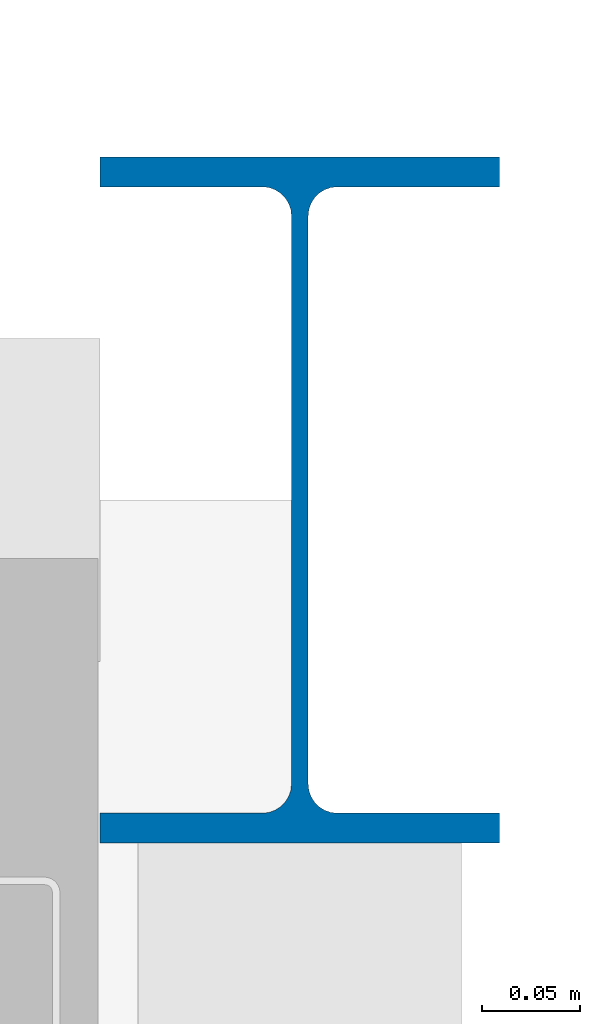
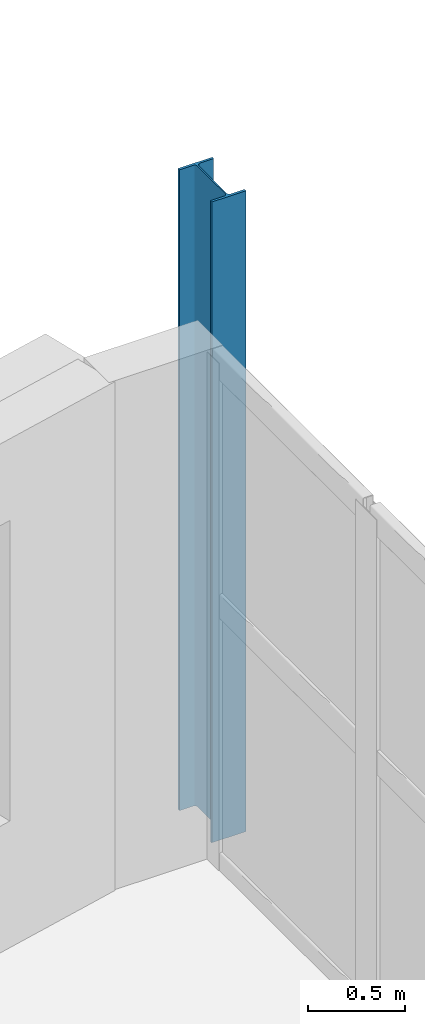
# One storey, part 5 of 33: 1 column.
"""IFC4 building model written with IfcOpenShell, lengths in metres."""

import ifcopenshell
import ifcopenshell.guid

model = None  # the IFC model being written
_history = None  # IfcOwnerHistory: only IFC2X3 demands one
_inside = {}  # id of a spatial element -> (the spatial element, [elements in it])
_under = {}  # id of a project, library or spatial element -> (it, [spatial elements below it])
_declared = {}  # id of a project -> (the project, [libraries it declares])
_typed = {}  # id of a type object -> (the type object, [elements of that type])
_made_of = {}  # id of a material, layer set ... -> (it, [elements and type objects made of it])


def new_model(schema):
    """Start an empty IFC model of exactly this schema.

    Asked for "IFC4X3", IfcOpenShell would pick the latest addendum, in which some entities
    have other attributes; the version numbers below select the first issue.
    IFC2X3 requires an IfcOwnerHistory on every rooted entity: one is made here for all.
    """
    global model, _history
    if schema == "IFC4X3":
        model = ifcopenshell.file(schema_version=(4, 3, 0, 0))
    else:
        model = ifcopenshell.file(schema=schema)
    _inside.clear()
    _under.clear()
    _declared.clear()
    _typed.clear()
    _made_of.clear()
    _history = None
    if model.schema == "IFC2X3":
        org = make("IfcOrganization", Name="unknown")
        user = make(
            "IfcPersonAndOrganization",
            ThePerson=make("IfcPerson", FamilyName="unknown"),
            TheOrganization=org,
        )
        app = make(
            "IfcApplication",
            ApplicationDeveloper=org,
            Version="unknown",
            ApplicationFullName="unknown",
            ApplicationIdentifier="unknown",
        )
        _history = make(
            "IfcOwnerHistory",
            OwningUser=user,
            OwningApplication=app,
            ChangeAction="ADDED",
            CreationDate=0,
        )
    return model


def make(cls, **values):
    """One entity of the class cls with the attributes given. An attribute that is None is left unset."""
    return model.create_entity(
        cls, **{name: value for name, value in values.items() if value is not None}
    )


def rooted(cls, **values):
    """An entity with a GlobalId (a new one), such as an element, a storey or a relation."""
    return make(cls, GlobalId=ifcopenshell.guid.new(), OwnerHistory=_history, **values)


def si_unit(unit_type, name, prefix=None):
    """IfcSIUnit, for example si_unit("LENGTHUNIT", "METRE", prefix="MILLI")."""
    return make("IfcSIUnit", UnitType=unit_type, Prefix=prefix, Name=name)


def assignment(units):
    """IfcUnitAssignment: the units of a project."""
    return None if units is None else make("IfcUnitAssignment", Units=units)


def point(xyz):
    """IfcCartesianPoint."""
    return None if xyz is None else make("IfcCartesianPoint", Coordinates=xyz)


def direction(xyz):
    """IfcDirection."""
    return None if xyz is None else make("IfcDirection", DirectionRatios=xyz)


def frame(location, z_axis=None, x_axis=None):
    """IfcAxis2Placement3D, a coordinate frame: its origin and axes. An axis left out is left unset."""
    return make(
        "IfcAxis2Placement3D",
        Location=point(location),
        Axis=direction(z_axis),
        RefDirection=direction(x_axis),
    )


def frame_2d(location, x_axis=None):
    """IfcAxis2Placement2D, a coordinate frame in the plane: its origin and x axis."""
    return make(
        "IfcAxis2Placement2D", Location=point(location), RefDirection=direction(x_axis)
    )


def origin():
    """The frame at (0, 0, 0) with its axes left unset."""
    return frame((0.0, 0.0, 0.0))


def origin_2d():
    """The frame at (0, 0) in the plane with its x axis left unset."""
    return frame_2d((0.0, 0.0))


def place(relative_to, where):
    """IfcLocalPlacement: puts the frame where relative to a parent placement (None: the world)."""
    return make(
        "IfcLocalPlacement", PlacementRelTo=relative_to, RelativePlacement=where
    )


def context(
    kind, dimensions, precision=None, world=None, true_north=None, identifier=None
):
    """IfcGeometricRepresentationContext, for example the 3D "Model" context."""
    return make(
        "IfcGeometricRepresentationContext",
        ContextIdentifier=identifier,
        ContextType=kind,
        CoordinateSpaceDimension=dimensions,
        Precision=precision,
        WorldCoordinateSystem=world,
        TrueNorth=true_north,
    )


def subcontext(parent, identifier, kind, view, scale=None):
    """IfcGeometricRepresentationSubContext, for example "Body" below "Model"."""
    return make(
        "IfcGeometricRepresentationSubContext",
        ContextIdentifier=identifier,
        ContextType=kind,
        ParentContext=parent,
        TargetScale=scale,
        TargetView=view,
    )


def project(units=None, contexts=None):
    """IfcProject with its units and contexts."""
    return rooted(
        "IfcProject",
        Name="project",
        RepresentationContexts=contexts,
        UnitsInContext=assignment(units),
    )


def spatial(cls, under=None, at=None, **own):
    """A site, building, storey or space (cls), placed at a placement, below another one or the project."""
    s = rooted(cls, ObjectPlacement=at, **own)
    if under is not None:
        _under.setdefault(under.id(), (under, []))[1].append(s)
    return s


def profile(cls, at=None, kind="AREA", **sizes):
    """A parametric profile (cls). Its sizes go by their IFC names, for example OverallWidth=200.0."""
    return make(cls, ProfileType=kind, Position=at, **sizes)


def i_section(**sizes):
    """IfcIShapeProfileDef."""
    return profile("IfcIShapeProfileDef", **sizes)


def extrude(swept, where, along, depth):
    """IfcExtrudedAreaSolid: the profile swept, set in the frame where, extruded along a direction by depth."""
    return make(
        "IfcExtrudedAreaSolid",
        SweptArea=swept,
        Position=where,
        ExtrudedDirection=direction(along),
        Depth=depth,
    )


def shape(context_of_items, identifier, shape_type, items):
    """IfcShapeRepresentation: the items that make up one representation, for example the "Body"."""
    return make(
        "IfcShapeRepresentation",
        ContextOfItems=context_of_items,
        RepresentationIdentifier=identifier,
        RepresentationType=shape_type,
        Items=items,
    )


def material(Name=None, Category=None):
    """IfcMaterial."""
    return make("IfcMaterial", Name=Name, Category=Category)


def material_profile(
    of_material, cross_section, Name=None, Category=None, Priority=None
):
    """IfcMaterialProfile: a cross section and its material."""
    return make(
        "IfcMaterialProfile",
        Name=Name,
        Material=of_material,
        Profile=cross_section,
        Priority=Priority,
        Category=Category,
    )


def profile_set(profiles, Name=None, composite=None):
    """IfcMaterialProfileSet."""
    return make(
        "IfcMaterialProfileSet",
        Name=Name,
        MaterialProfiles=profiles,
        CompositeProfile=composite,
    )


def made_of(thing, what):
    """Note that an element or type object is made of a material, layer set ...; save() writes the relation."""
    if what is not None:
        _made_of.setdefault(what.id(), (what, []))[1].append(thing)
    return thing


def type_object(cls, material=None, **own):
    """A type object (cls), such as IfcWallType, which elements share."""
    return made_of(rooted(cls, **own), material)


def element(
    cls,
    number,
    at=None,
    inside=None,
    cuts=None,
    type_object=None,
    material=None,
    context=None,
    identifier="Body",
    shape_type=None,
    held_by="IfcProductDefinitionShape",
    body=None,
    shapes=None,
    **own,
):
    """One element of the class cls, such as IfcWall. Its Tag is "e" and its number.

    at: its placement. inside: the storey or other place that contains it. cuts: it is an
    opening in that element (IfcRelVoidsElement). A single representation is given by context,
    identifier, shape_type and body (its items); several are given by shapes. held_by: the class
    of the entity that holds the representations. save() writes the other relations.
    """
    e = rooted(cls, Tag="e%d" % number, ObjectPlacement=at, **own)
    if body is not None:
        shapes = [shape(context, identifier, shape_type, body)]
    if shapes is not None:
        e.Representation = make(held_by, Representations=shapes)
    if inside is not None:
        _inside.setdefault(inside.id(), (inside, []))[1].append(e)
    if cuts is not None:
        rooted(
            "IfcRelVoidsElement", RelatingBuildingElement=cuts, RelatedOpeningElement=e
        )
    if type_object is not None:
        _typed.setdefault(type_object.id(), (type_object, []))[1].append(e)
    return made_of(e, material)


def aggregate(whole, parts):
    """IfcRelAggregates: a whole, such as a stair, and the parts it consists of."""
    return rooted("IfcRelAggregates", RelatingObject=whole, RelatedObjects=parts)


def save(model, path):
    """Write the relations noted so far, then the file.

    IfcRelAggregates (storeys below a building ...), IfcRelContainedInSpatialStructure (elements
    in a storey), IfcRelDefinesByType, IfcRelAssociatesMaterial and IfcRelDeclares: one each for
    every whole, place, type object, material and project.
    """
    for whole, parts in _under.values():
        aggregate(whole, parts)
    for where, things in _inside.values():
        rooted(
            "IfcRelContainedInSpatialStructure",
            RelatedElements=things,
            RelatingStructure=where,
        )
    for kind, things in _typed.values():
        rooted("IfcRelDefinesByType", RelatedObjects=things, RelatingType=kind)
    for what, things in _made_of.values():
        rooted("IfcRelAssociatesMaterial", RelatedObjects=things, RelatingMaterial=what)
    for by, libraries in _declared.values():
        rooted("IfcRelDeclares", RelatingContext=by, RelatedDefinitions=libraries)
    model.write(path)


model = new_model("IFC4")

# Units and contexts
model_context = context("Model", 3, precision=1e-05, world=origin(), true_north=direction((0.0, 1.0)))
body_context = subcontext(model_context, "Body", "Model", "MODEL_VIEW")
ifc_project = project(units=[si_unit("LENGTHUNIT", "METRE"), si_unit("AREAUNIT", "SQUARE_METRE"), si_unit("VOLUMEUNIT", "CUBIC_METRE"), si_unit("PLANEANGLEUNIT", "RADIAN"), si_unit("MASSUNIT", "GRAM", prefix="KILO")], contexts=[model_context])

# Site, building, storey
site_placement = place(None, origin())
site = spatial("IfcSite", under=ifc_project, at=site_placement, CompositionType="ELEMENT")
building_placement = place(site_placement, origin())
building = spatial("IfcBuilding", under=site, at=building_placement, Name="Kalmorath City Hall", CompositionType="ELEMENT")
storey_placement = place(building_placement, frame((0.0, 0.0, 22.949951171875)))
storey = spatial("IfcBuildingStorey", under=building, at=storey_placement, Name="L05", CompositionType="ELEMENT", Elevation=22.949951171875)

# Column
ifc_material = material(Name="Steel ASTM A992 Grade 50", Category="steel")
ifc_material_profile = material_profile(ifc_material, i_section(OverallWidth=0.2041015625, OverallDepth=0.35009765625, WebThickness=0.008544921875, FlangeThickness=0.01513671875, FilletRadius=0.014892578125, at=origin_2d()), Name="W14X48")
ifc_profile_set = profile_set([ifc_material_profile], Name="Steel ASTM A992 Grade 50")
column_type = type_object("IfcColumnType", Name="Steel wide-flange column W14X48", PredefinedType="COLUMN", material=ifc_profile_set)
column_placement = place(storey_placement, frame((36.0, 36.0, 0.0), z_axis=(0.0, 0.0, 1.0), x_axis=(1.0, 0.0, 0.0)))
element("IfcColumn", 1, at=column_placement, inside=storey, type_object=column_type, Name="L05 column SC6 (6/6)", PredefinedType="COLUMN", context=body_context, shape_type="SweptSolid", body=[
    extrude(i_section(OverallWidth=0.2041015625, OverallDepth=0.35009765625, WebThickness=0.008544921875, FlangeThickness=0.01513671875, FilletRadius=0.014892578125, at=origin_2d()), origin(), (0.0, 0.0, 1.0), 4.050048828125),
])

save(model, "model.ifc")
